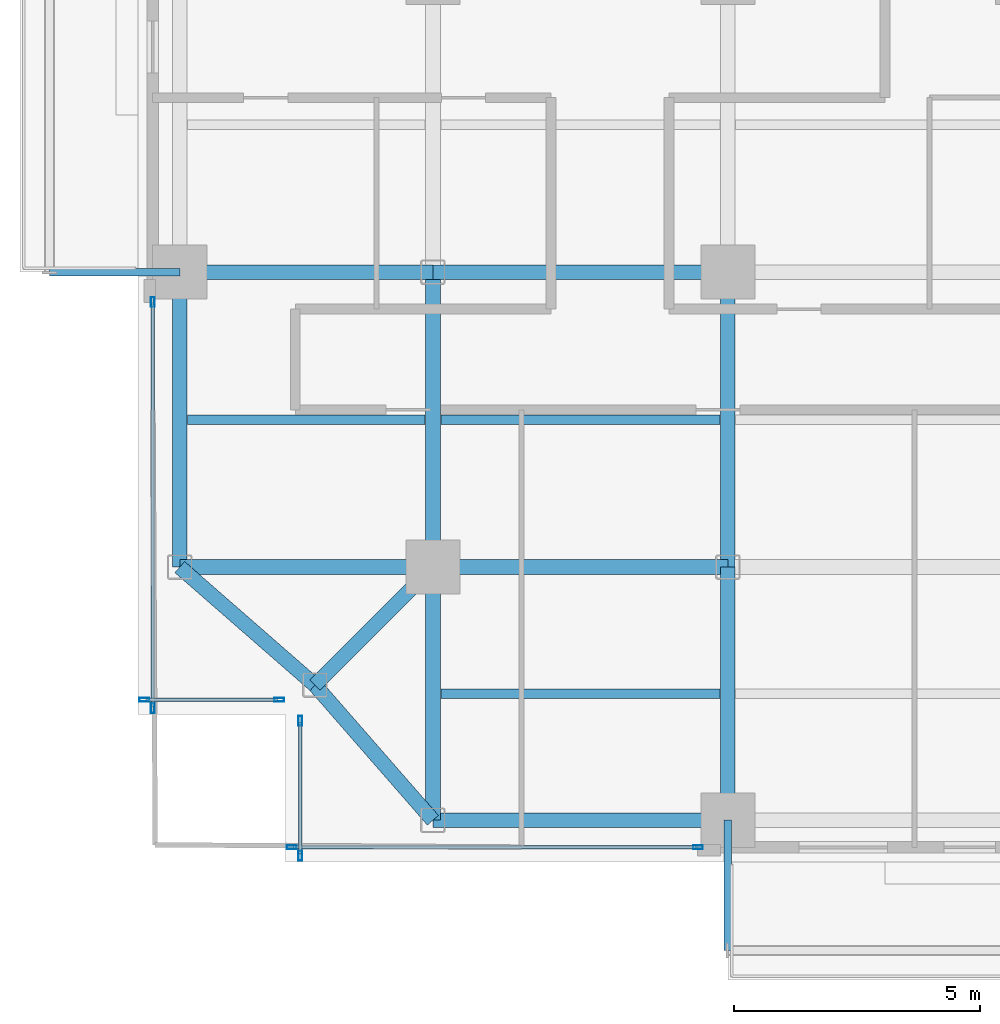
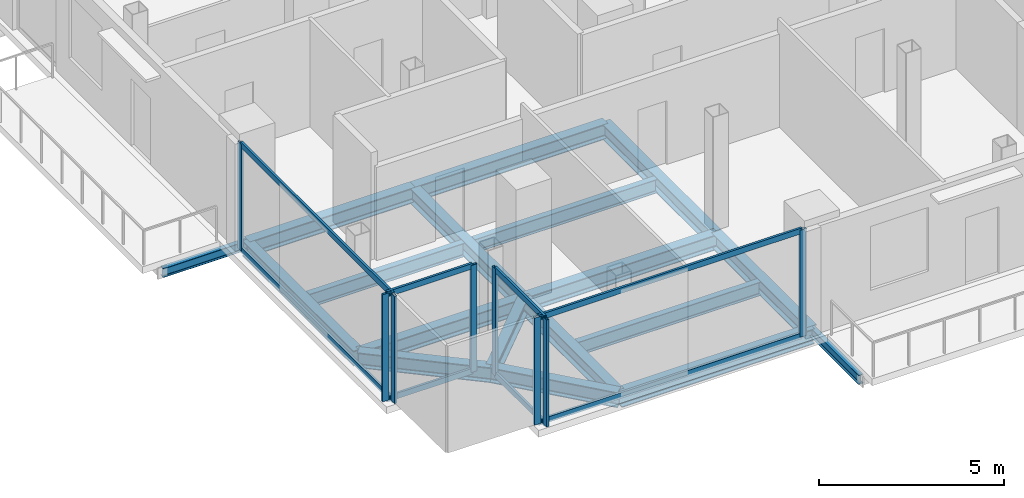
# One storey, part 2 of 24: 18 beams, 16 members, 4 elements without a shape of their own.
"""IFC4 building model written with IfcOpenShell, lengths in metres."""

from ifc_helpers import new_model, si_unit, direction, frame, origin, origin_2d, place, context, subcontext, project, spatial, hollow_rectangle, i_section, extrude, material, layer, layer_set, material_profile, profile_set, type_object, element, aggregate, save


model = new_model("IFC4")

# Units and contexts
model_context = context("Model", 3, precision=1e-05, world=origin(), true_north=direction((0.0, 1.0)))
body_context = subcontext(model_context, "Body", "Model", "MODEL_VIEW")
ifc_project = project(units=[si_unit("LENGTHUNIT", "METRE"), si_unit("AREAUNIT", "SQUARE_METRE"), si_unit("VOLUMEUNIT", "CUBIC_METRE"), si_unit("PLANEANGLEUNIT", "RADIAN"), si_unit("MASSUNIT", "GRAM", prefix="KILO"), si_unit("THERMODYNAMICTEMPERATUREUNIT", "KELVIN"), si_unit("POWERUNIT", "WATT")], contexts=[model_context])

# Site, building, storey
site_placement = place(None, origin())
site = spatial("IfcSite", under=ifc_project, at=site_placement, CompositionType="ELEMENT")
building_placement = place(site_placement, origin())
building = spatial("IfcBuilding", under=site, at=building_placement, Name="Svarakhadi Broadcast Tower", CompositionType="ELEMENT")
storey_placement = place(building_placement, frame((0.0, 0.0, 145.64990234375)))
storey = spatial("IfcBuildingStorey", under=building, at=storey_placement, Name="L35", CompositionType="ELEMENT", Elevation=145.64990234375)

# Beams
ifc_material_1 = material(Name="Steel S355J2 (IS 2062 E350C)", Category="steel")
ifc_material_profile_1 = material_profile(ifc_material_1, i_section(OverallWidth=0.18994140625, OverallDepth=0.449951171875, WebThickness=0.009521484375, FlangeThickness=0.0146484375, FilletRadius=0.02099609375, at=origin_2d()), Name="NPB 450x190x78")
ifc_profile_set_1 = profile_set([ifc_material_profile_1], Name="Steel S355J2 (IS 2062 E350C)")
beam_type_1 = type_object("IfcBeamType", Name="Beam_NPB450", PredefinedType="BEAM", material=ifc_profile_set_1)
beam_1_placement = place(storey_placement, frame((1.010009765625, 9.0, -0.449951171875), z_axis=(1.0, 0.0, 0.0), x_axis=(0.0, 1.0, 0.0)))
element("IfcBeam", 1, at=beam_1_placement, inside=storey, type_object=beam_type_1, Name="L35 Secondary Composite Beam SB001", PredefinedType="BEAM", context=body_context, shape_type="SweptSolid", body=[
    extrude(i_section(OverallWidth=0.18994140625, OverallDepth=0.449951171875, WebThickness=0.009521484375, FlangeThickness=0.0146484375, FilletRadius=0.02099609375, at=origin_2d()), origin(), (0.0, 0.0, 1.0), 4.830078125),
])
for number, where, z_axis, x_axis, name in (
    (2, (6.159912109375, 3.425048828125, -0.449951171875), (1.0, 0.0, 0.0), (0.0, 1.0, 0.0), "L35 Secondary Composite Beam SB006"),
    (3, (6.159912109375, 9.0, -0.449951171875), (1.0, 0.0, 0.0), (0.0, 1.0, 0.0), "L35 Secondary Composite Beam SB007"),
):
    element("IfcBeam", number, at=place(storey_placement, frame(where, z_axis=z_axis, x_axis=x_axis)), inside=storey, type_object=beam_type_1, Name=name, PredefinedType="BEAM", context=body_context, shape_type="SweptSolid", body=[
        extrude(i_section(OverallWidth=0.18994140625, OverallDepth=0.449951171875, WebThickness=0.009521484375, FlangeThickness=0.0146484375, FilletRadius=0.02099609375, at=origin_2d()), origin(), (0.0, 0.0, 1.0), 5.68017578125),
    ])

# Curtain wall, members
ifc_material_2 = material(Name="Anodised Bronze Aluminium AA 6063-T6", Category="aluminium")
ifc_layer = layer(ifc_material_2, 0.199951171875)
ifc_layer_set = layer_set([ifc_layer], Name="Anodised Bronze Aluminium AA 6063-T6")
curtain_wall_type = type_object("IfcCurtainWallType", Name="CW_Sys_03", PredefinedType="NOTDEFINED", material=ifc_layer_set)
curtain_wall_1_placement = place(storey_placement, origin())
curtain_wall_1 = element("IfcCurtainWall", 4, at=curtain_wall_1_placement, inside=storey, type_object=curtain_wall_type, Name="L35 Unitised Facade Curtain Wall 01", PredefinedType="NOTDEFINED")
ifc_material_profile_2 = material_profile(ifc_material_2, hollow_rectangle(XDim=0.074951171875, YDim=0.199951171875, WallThickness=0.005615234375, at=origin_2d()), Name="ALU MULLION 200x75x6")
ifc_profile_set_2 = profile_set([ifc_material_profile_2], Name="Anodised Bronze Aluminium AA 6063-T6")
member_type_1 = type_object("IfcMemberType", Name="CW_Sys_03_Mul", PredefinedType="MULLION", material=ifc_profile_set_2)
member_1_placement = place(storey_placement, frame((2.87255859375, 3.300048828125, 0.0), z_axis=(0.0, 0.0, 1.0), x_axis=(0.0, -1.0, 0.0)))
member_1 = element("IfcMember", 5, at=member_1_placement, type_object=member_type_1, Name="CW-03 mullion 1", PredefinedType="MULLION", context=body_context, shape_type="SweptSolid", body=[
    extrude(hollow_rectangle(XDim=0.074951171875, YDim=0.199951171875, WallThickness=0.005615234375, at=origin_2d()), origin(), (0.0, 0.0, 1.0), 3.525146484375),
])
member_2_placement = place(storey_placement, frame((0.12744140625, 3.300048828125, 0.0), z_axis=(0.0, 0.0, 1.0), x_axis=(0.0, -1.0, 0.0)))
member_2 = element("IfcMember", 6, at=member_2_placement, type_object=member_type_1, Name="CW-03 mullion 2", PredefinedType="MULLION", context=body_context, shape_type="SweptSolid", body=[
    extrude(hollow_rectangle(XDim=0.074951171875, YDim=0.199951171875, WallThickness=0.005615234375, at=origin_2d()), origin(), (0.0, 0.0, 1.0), 3.525146484375),
])

curtain_wall_2_placement = place(storey_placement, origin())
curtain_wall_2 = element("IfcCurtainWall", 7, at=curtain_wall_2_placement, inside=storey, type_object=curtain_wall_type, Name="L35 West Curtain Wall 02", PredefinedType="NOTDEFINED")
member_3_placement = place(storey_placement, frame((0.300048828125, 3.12744140625, 0.0), z_axis=(0.0, 0.0, 1.0), x_axis=(-1.0, 0.0, 0.0)))
member_3 = element("IfcMember", 8, at=member_3_placement, type_object=member_type_1, Name="CW-03 mullion 1", PredefinedType="MULLION", context=body_context, shape_type="SweptSolid", body=[
    extrude(hollow_rectangle(XDim=0.074951171875, YDim=0.199951171875, WallThickness=0.005615234375, at=origin_2d()), origin(), (0.0, 0.0, 1.0), 3.525146484375),
])
member_4_placement = place(storey_placement, frame((0.300048828125, 11.392578125, 0.0), z_axis=(0.0, 0.0, 1.0), x_axis=(-1.0, 0.0, 0.0)))
member_4 = element("IfcMember", 9, at=member_4_placement, type_object=member_type_1, Name="CW-03 mullion 2", PredefinedType="MULLION", context=body_context, shape_type="SweptSolid", body=[
    extrude(hollow_rectangle(XDim=0.074951171875, YDim=0.199951171875, WallThickness=0.005615234375, at=origin_2d()), origin(), (0.0, 0.0, 1.0), 3.525146484375),
])

curtain_wall_3_placement = place(storey_placement, origin())
curtain_wall_3 = element("IfcCurtainWall", 10, at=curtain_wall_3_placement, inside=storey, type_object=curtain_wall_type, Name="L35 South Curtain Wall 17", PredefinedType="NOTDEFINED")
member_5_placement = place(storey_placement, frame((11.392578125, 0.300048828125, 0.0), z_axis=(0.0, 0.0, 1.0), x_axis=(0.0, -1.0, 0.0)))
member_5 = element("IfcMember", 11, at=member_5_placement, type_object=member_type_1, Name="CW-03 mullion 1", PredefinedType="MULLION", context=body_context, shape_type="SweptSolid", body=[
    extrude(hollow_rectangle(XDim=0.074951171875, YDim=0.199951171875, WallThickness=0.005615234375, at=origin_2d()), origin(), (0.0, 0.0, 1.0), 3.525146484375),
])
member_6_placement = place(storey_placement, frame((3.12744140625, 0.300048828125, 0.0), z_axis=(0.0, 0.0, 1.0), x_axis=(0.0, -1.0, 0.0)))
member_6 = element("IfcMember", 12, at=member_6_placement, type_object=member_type_1, Name="CW-03 mullion 2", PredefinedType="MULLION", context=body_context, shape_type="SweptSolid", body=[
    extrude(hollow_rectangle(XDim=0.074951171875, YDim=0.199951171875, WallThickness=0.005615234375, at=origin_2d()), origin(), (0.0, 0.0, 1.0), 3.525146484375),
])

curtain_wall_4_placement = place(storey_placement, origin())
curtain_wall_4 = element("IfcCurtainWall", 13, at=curtain_wall_4_placement, inside=storey, type_object=curtain_wall_type, Name="L35 Unitised Facade Curtain Wall 18", PredefinedType="NOTDEFINED")
member_7_placement = place(storey_placement, frame((3.300048828125, 0.12744140625, 0.0), z_axis=(0.0, 0.0, 1.0), x_axis=(-1.0, 0.0, 0.0)))
member_7 = element("IfcMember", 14, at=member_7_placement, type_object=member_type_1, Name="CW-03 mullion 1", PredefinedType="MULLION", context=body_context, shape_type="SweptSolid", body=[
    extrude(hollow_rectangle(XDim=0.074951171875, YDim=0.199951171875, WallThickness=0.005615234375, at=origin_2d()), origin(), (0.0, 0.0, 1.0), 3.525146484375),
])
member_8_placement = place(storey_placement, frame((3.300048828125, 2.87255859375, 0.0), z_axis=(0.0, 0.0, 1.0), x_axis=(-1.0, 0.0, 0.0)))
member_8 = element("IfcMember", 15, at=member_8_placement, type_object=member_type_1, Name="CW-03 mullion 2", PredefinedType="MULLION", context=body_context, shape_type="SweptSolid", body=[
    extrude(hollow_rectangle(XDim=0.074951171875, YDim=0.199951171875, WallThickness=0.005615234375, at=origin_2d()), origin(), (0.0, 0.0, 1.0), 3.525146484375),
])

# Member
ifc_material_profile_3 = material_profile(ifc_material_2, hollow_rectangle(XDim=0.070068359375, YDim=0.18505859375, WallThickness=0.0048828125, at=origin_2d()), Name="ALU TRANSOM 185x70x5")
ifc_profile_set_3 = profile_set([ifc_material_profile_3], Name="Anodised Bronze Aluminium AA 6063-T6")
member_type_2 = type_object("IfcMemberType", Name="CW_Sys_03_Trn", PredefinedType="USERDEFINED", material=ifc_profile_set_3)
member_9_placement = place(storey_placement, frame((2.8349609375, 3.300048828125, 0.03515625), z_axis=(-1.0, 0.0, 0.0), x_axis=(0.0, -1.0, 0.0)))
member_9 = element("IfcMember", 16, at=member_9_placement, type_object=member_type_2, Name="CW-03 transom 1.1", ObjectType="TRANSOM", PredefinedType="USERDEFINED", context=body_context, shape_type="SweptSolid", body=[
    extrude(hollow_rectangle(XDim=0.070068359375, YDim=0.18505859375, WallThickness=0.0048828125, at=origin_2d()), origin(), (0.0, 0.0, 1.0), 2.669921875),
])

member_10_placement = place(storey_placement, frame((2.8349609375, 3.300048828125, 3.489990234375), z_axis=(-1.0, 0.0, 0.0), x_axis=(0.0, -1.0, 0.0)))
member_10 = element("IfcMember", 17, at=member_10_placement, type_object=member_type_2, Name="CW-03 transom 1.2", ObjectType="TRANSOM", PredefinedType="USERDEFINED", context=body_context, shape_type="SweptSolid", body=[
    extrude(hollow_rectangle(XDim=0.070068359375, YDim=0.18505859375, WallThickness=0.0048828125, at=origin_2d()), origin(), (0.0, 0.0, 1.0), 2.669921875),
])

aggregate(curtain_wall_1, [member_1, member_2, member_9, member_10])

member_11_placement = place(storey_placement, frame((0.300048828125, 3.1650390625, 0.03515625), z_axis=(0.0, 1.0, 0.0), x_axis=(-1.0, 0.0, 0.0)))
member_11 = element("IfcMember", 18, at=member_11_placement, type_object=member_type_2, Name="CW-03 transom 1.1", ObjectType="TRANSOM", PredefinedType="USERDEFINED", context=body_context, shape_type="SweptSolid", body=[
    extrude(hollow_rectangle(XDim=0.070068359375, YDim=0.18505859375, WallThickness=0.0048828125, at=origin_2d()), origin(), (0.0, 0.0, 1.0), 8.18994140625),
])

member_12_placement = place(storey_placement, frame((0.300048828125, 3.1650390625, 3.489990234375), z_axis=(0.0, 1.0, 0.0), x_axis=(-1.0, 0.0, 0.0)))
member_12 = element("IfcMember", 19, at=member_12_placement, type_object=member_type_2, Name="CW-03 transom 1.2", ObjectType="TRANSOM", PredefinedType="USERDEFINED", context=body_context, shape_type="SweptSolid", body=[
    extrude(hollow_rectangle(XDim=0.070068359375, YDim=0.18505859375, WallThickness=0.0048828125, at=origin_2d()), origin(), (0.0, 0.0, 1.0), 8.18994140625),
])

aggregate(curtain_wall_2, [member_3, member_4, member_11, member_12])

member_13_placement = place(storey_placement, frame((11.35498046875, 0.300048828125, 0.03515625), z_axis=(-1.0, 0.0, 0.0), x_axis=(0.0, -1.0, 0.0)))
member_13 = element("IfcMember", 20, at=member_13_placement, type_object=member_type_2, Name="CW-03 transom 1.1", ObjectType="TRANSOM", PredefinedType="USERDEFINED", context=body_context, shape_type="SweptSolid", body=[
    extrude(hollow_rectangle(XDim=0.070068359375, YDim=0.18505859375, WallThickness=0.0048828125, at=origin_2d()), origin(), (0.0, 0.0, 1.0), 8.18994140625),
])

member_14_placement = place(storey_placement, frame((11.35498046875, 0.300048828125, 3.489990234375), z_axis=(-1.0, 0.0, 0.0), x_axis=(0.0, -1.0, 0.0)))
member_14 = element("IfcMember", 21, at=member_14_placement, type_object=member_type_2, Name="CW-03 transom 1.2", ObjectType="TRANSOM", PredefinedType="USERDEFINED", context=body_context, shape_type="SweptSolid", body=[
    extrude(hollow_rectangle(XDim=0.070068359375, YDim=0.18505859375, WallThickness=0.0048828125, at=origin_2d()), origin(), (0.0, 0.0, 1.0), 8.18994140625),
])

aggregate(curtain_wall_3, [member_5, member_6, member_13, member_14])

member_15_placement = place(storey_placement, frame((3.300048828125, 0.1650390625, 0.03515625), z_axis=(0.0, 1.0, 0.0), x_axis=(-1.0, 0.0, 0.0)))
member_15 = element("IfcMember", 22, at=member_15_placement, type_object=member_type_2, Name="CW-03 transom 1.1", ObjectType="TRANSOM", PredefinedType="USERDEFINED", context=body_context, shape_type="SweptSolid", body=[
    extrude(hollow_rectangle(XDim=0.070068359375, YDim=0.18505859375, WallThickness=0.0048828125, at=origin_2d()), origin(), (0.0, 0.0, 1.0), 2.669921875),
])

member_16_placement = place(storey_placement, frame((3.300048828125, 0.1650390625, 3.489990234375), z_axis=(0.0, 1.0, 0.0), x_axis=(-1.0, 0.0, 0.0)))
member_16 = element("IfcMember", 23, at=member_16_placement, type_object=member_type_2, Name="CW-03 transom 1.2", ObjectType="TRANSOM", PredefinedType="USERDEFINED", context=body_context, shape_type="SweptSolid", body=[
    extrude(hollow_rectangle(XDim=0.070068359375, YDim=0.18505859375, WallThickness=0.0048828125, at=origin_2d()), origin(), (0.0, 0.0, 1.0), 2.669921875),
])

aggregate(curtain_wall_4, [member_7, member_8, member_15, member_16])

# Beams
ifc_material_profile_4 = material_profile(ifc_material_1, i_section(OverallWidth=0.300048828125, OverallDepth=0.5, WebThickness=0.014404296875, FlangeThickness=0.028076171875, FilletRadius=0.027099609375, at=origin_2d()), Name="WPB 500x300x187")
ifc_profile_set_4 = profile_set([ifc_material_profile_4], Name="Steel S355J2 (IS 2062 E350C)")
beam_type_2 = type_object("IfcBeamType", Name="Girder_WPB500", PredefinedType="USERDEFINED", material=ifc_profile_set_4)
beam_2_placement = place(storey_placement, frame((3.60009765625, 3.60009765625, -0.474853515625), z_axis=(0.707106781187, 0.707106781187, 0.0), x_axis=(-0.707106781187, 0.707106781187, 0.0)))
element("IfcBeam", 24, at=beam_2_placement, inside=storey, type_object=beam_type_2, Name="L35 Corner Tie Girder G001", ObjectType="GIRDER", PredefinedType="USERDEFINED", context=body_context, shape_type="SweptSolid", body=[
    extrude(i_section(OverallWidth=0.300048828125, OverallDepth=0.5, WebThickness=0.014404296875, FlangeThickness=0.028076171875, FilletRadius=0.027099609375, at=origin_2d()), origin(), (0.0, 0.0, 1.0), 3.39404296875),
])
for number, where, z_axis, x_axis, name in (
    (25, (3.60009765625, 3.60009765625, -0.474853515625), (-0.753437912176, 0.657519058655, 0.0), (-0.657519058655, -0.753437912176, 0.0), "L35 Corner Tie Girder G002"),
    (26, (3.60009765625, 3.60009765625, -0.474853515625), (0.657519058655, -0.753437912176, 0.0), (0.753437912176, 0.657519058655, 0.0), "L35 Corner Tie Girder G003"),
):
    element("IfcBeam", number, at=place(storey_placement, frame(where, z_axis=z_axis, x_axis=x_axis)), inside=storey, type_object=beam_type_2, Name=name, ObjectType="GIRDER", PredefinedType="USERDEFINED", context=body_context, shape_type="SweptSolid", body=[
        extrude(i_section(OverallWidth=0.300048828125, OverallDepth=0.5, WebThickness=0.014404296875, FlangeThickness=0.028076171875, FilletRadius=0.027099609375, at=origin_2d()), origin(), (0.0, 0.0, 1.0), 3.64990234375),
    ])
beam_3_placement = place(storey_placement, frame((6.0, 0.85009765625, -0.474853515625), z_axis=(1.0, 0.0, 0.0), x_axis=(0.0, 1.0, 0.0)))
element("IfcBeam", 27, at=beam_3_placement, inside=storey, type_object=beam_type_2, Name="L35 Primary E-W Girder G004", ObjectType="GIRDER", PredefinedType="USERDEFINED", context=body_context, shape_type="SweptSolid", body=[
    extrude(i_section(OverallWidth=0.300048828125, OverallDepth=0.5, WebThickness=0.014404296875, FlangeThickness=0.028076171875, FilletRadius=0.027099609375, at=origin_2d()), origin(), (0.0, 0.0, 1.0), 6.0),
])
beam_4_placement = place(storey_placement, frame((0.85009765625, 6.0, -0.474853515625), z_axis=(1.0, 0.0, 0.0), x_axis=(0.0, 1.0, 0.0)))
element("IfcBeam", 28, at=beam_4_placement, inside=storey, type_object=beam_type_2, Name="L35 Primary E-W Girder G010", ObjectType="GIRDER", PredefinedType="USERDEFINED", context=body_context, shape_type="SweptSolid", body=[
    extrude(i_section(OverallWidth=0.300048828125, OverallDepth=0.5, WebThickness=0.014404296875, FlangeThickness=0.028076171875, FilletRadius=0.027099609375, at=origin_2d()), origin(), (0.0, 0.0, 1.0), 5.14990234375),
])
beam_5_placement = place(storey_placement, frame((6.0, 6.0, -0.474853515625), z_axis=(1.0, 0.0, 0.0), x_axis=(0.0, 1.0, 0.0)))
element("IfcBeam", 29, at=beam_5_placement, inside=storey, type_object=beam_type_2, Name="L35 Primary E-W Girder G011", ObjectType="GIRDER", PredefinedType="USERDEFINED", context=body_context, shape_type="SweptSolid", body=[
    extrude(i_section(OverallWidth=0.300048828125, OverallDepth=0.5, WebThickness=0.014404296875, FlangeThickness=0.028076171875, FilletRadius=0.027099609375, at=origin_2d()), origin(), (0.0, 0.0, 1.0), 6.0),
])
beam_6_placement = place(storey_placement, frame((0.85009765625, 12.0, -0.474853515625), z_axis=(1.0, 0.0, 0.0), x_axis=(0.0, 1.0, 0.0)))
element("IfcBeam", 30, at=beam_6_placement, inside=storey, type_object=beam_type_2, Name="L35 Primary E-W Girder G017", ObjectType="GIRDER", PredefinedType="USERDEFINED", context=body_context, shape_type="SweptSolid", body=[
    extrude(i_section(OverallWidth=0.300048828125, OverallDepth=0.5, WebThickness=0.014404296875, FlangeThickness=0.028076171875, FilletRadius=0.027099609375, at=origin_2d()), origin(), (0.0, 0.0, 1.0), 5.14990234375),
])
for number, where, z_axis, x_axis, name in (
    (31, (6.0, 12.0, -0.474853515625), (1.0, 0.0, 0.0), (0.0, 1.0, 0.0), "L35 Primary E-W Girder G018"),
    (32, (0.85009765625, 6.0, -0.474853515625), (0.0, 1.0, 0.0), (-1.0, 0.0, 0.0), "L35 Primary N-S Girder G040"),
):
    element("IfcBeam", number, at=place(storey_placement, frame(where, z_axis=z_axis, x_axis=x_axis)), inside=storey, type_object=beam_type_2, Name=name, ObjectType="GIRDER", PredefinedType="USERDEFINED", context=body_context, shape_type="SweptSolid", body=[
        extrude(i_section(OverallWidth=0.300048828125, OverallDepth=0.5, WebThickness=0.014404296875, FlangeThickness=0.028076171875, FilletRadius=0.027099609375, at=origin_2d()), origin(), (0.0, 0.0, 1.0), 6.0),
    ])
beam_7_placement = place(storey_placement, frame((6.0, 0.85009765625, -0.474853515625), z_axis=(0.0, 1.0, 0.0), x_axis=(-1.0, 0.0, 0.0)))
element("IfcBeam", 33, at=beam_7_placement, inside=storey, type_object=beam_type_2, Name="L35 Primary N-S Girder G045", ObjectType="GIRDER", PredefinedType="USERDEFINED", context=body_context, shape_type="SweptSolid", body=[
    extrude(i_section(OverallWidth=0.300048828125, OverallDepth=0.5, WebThickness=0.014404296875, FlangeThickness=0.028076171875, FilletRadius=0.027099609375, at=origin_2d()), origin(), (0.0, 0.0, 1.0), 5.14990234375),
])
beam_8_placement = place(storey_placement, frame((6.0, 6.0, -0.474853515625), z_axis=(0.0, 1.0, 0.0), x_axis=(-1.0, 0.0, 0.0)))
element("IfcBeam", 34, at=beam_8_placement, inside=storey, type_object=beam_type_2, Name="L35 Primary N-S Girder G046", ObjectType="GIRDER", PredefinedType="USERDEFINED", context=body_context, shape_type="SweptSolid", body=[
    extrude(i_section(OverallWidth=0.300048828125, OverallDepth=0.5, WebThickness=0.014404296875, FlangeThickness=0.028076171875, FilletRadius=0.027099609375, at=origin_2d()), origin(), (0.0, 0.0, 1.0), 6.0),
])
beam_9_placement = place(storey_placement, frame((12.0, 0.85009765625, -0.474853515625), z_axis=(0.0, 1.0, 0.0), x_axis=(-1.0, 0.0, 0.0)))
element("IfcBeam", 35, at=beam_9_placement, inside=storey, type_object=beam_type_2, Name="L35 Primary N-S Girder G051", ObjectType="GIRDER", PredefinedType="USERDEFINED", context=body_context, shape_type="SweptSolid", body=[
    extrude(i_section(OverallWidth=0.300048828125, OverallDepth=0.5, WebThickness=0.014404296875, FlangeThickness=0.028076171875, FilletRadius=0.027099609375, at=origin_2d()), origin(), (0.0, 0.0, 1.0), 5.14990234375),
])
beam_10_placement = place(storey_placement, frame((12.0, 6.0, -0.474853515625), z_axis=(0.0, 1.0, 0.0), x_axis=(-1.0, 0.0, 0.0)))
element("IfcBeam", 36, at=beam_10_placement, inside=storey, type_object=beam_type_2, Name="L35 Primary N-S Girder G052", ObjectType="GIRDER", PredefinedType="USERDEFINED", context=body_context, shape_type="SweptSolid", body=[
    extrude(i_section(OverallWidth=0.300048828125, OverallDepth=0.5, WebThickness=0.014404296875, FlangeThickness=0.028076171875, FilletRadius=0.027099609375, at=origin_2d()), origin(), (0.0, 0.0, 1.0), 6.0),
])
ifc_material_profile_5 = material_profile(ifc_material_1, i_section(OverallWidth=0.14990234375, OverallDepth=0.300048828125, WebThickness=0.007080078125, FlangeThickness=0.0107421875, FilletRadius=0.014892578125, at=origin_2d()), Name="NPB 300x150x37")
ifc_profile_set_5 = profile_set([ifc_material_profile_5], Name="Steel S355J2 (IS 2062 E350C)")
beam_type_3 = type_object("IfcBeamType", Name="Spandrel_NPB300", PredefinedType="SPANDREL", material=ifc_profile_set_5)
for number, where, z_axis, x_axis, name in (
    (37, (12.0, 0.85009765625, -0.375), (0.0, -1.0, 0.0), (1.0, 0.0, 0.0), "L35 Balcony Cantilever Bracket 1A"),
    (38, (0.85009765625, 12.0, -0.375), (-1.0, 0.0, 0.0), (0.0, -1.0, 0.0), "L35 Balcony Cantilever Bracket 2A"),
):
    element("IfcBeam", number, at=place(storey_placement, frame(where, z_axis=z_axis, x_axis=x_axis)), inside=storey, type_object=beam_type_3, Name=name, PredefinedType="SPANDREL", context=body_context, shape_type="SweptSolid", body=[
        extrude(i_section(OverallWidth=0.14990234375, OverallDepth=0.300048828125, WebThickness=0.007080078125, FlangeThickness=0.0107421875, FilletRadius=0.014892578125, at=origin_2d()), origin(), (0.0, 0.0, 1.0), 2.650146484375),
    ])

save(model, "model.ifc")
